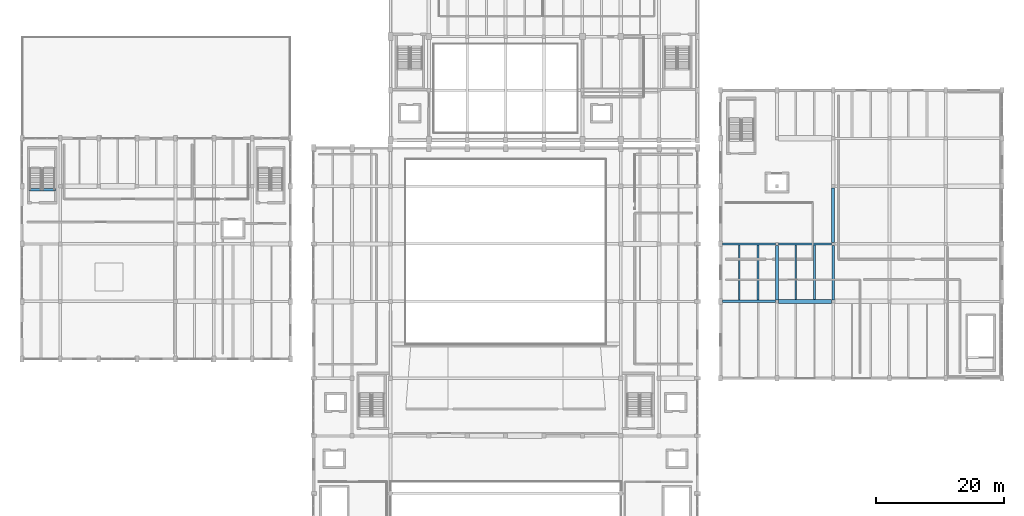
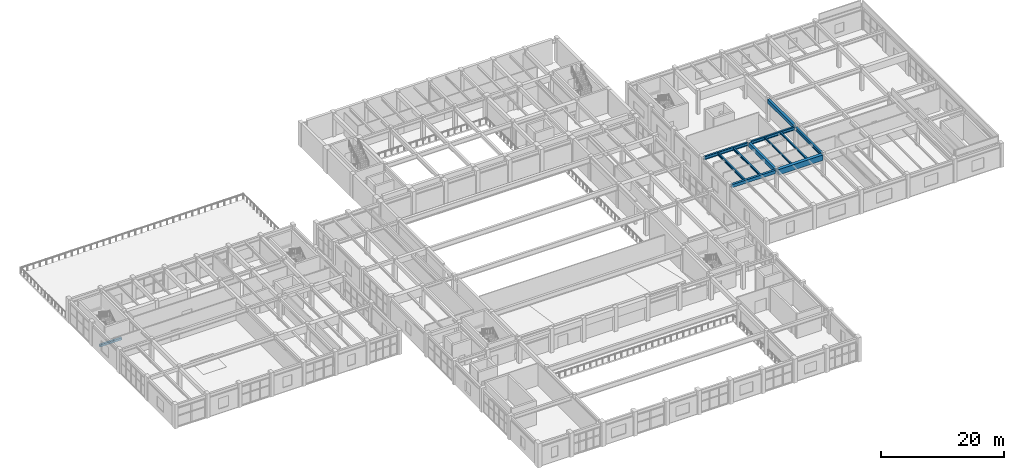
# One storey, part 32 of 80: 12 beams.
"""IFC4 building model written with IfcOpenShell, lengths in metres."""

import ifcopenshell
import ifcopenshell.guid

model = None  # the IFC model being written
_history = None  # IfcOwnerHistory: only IFC2X3 demands one
_inside = {}  # id of a spatial element -> (the spatial element, [elements in it])
_under = {}  # id of a project, library or spatial element -> (it, [spatial elements below it])
_declared = {}  # id of a project -> (the project, [libraries it declares])
_typed = {}  # id of a type object -> (the type object, [elements of that type])
_made_of = {}  # id of a material, layer set ... -> (it, [elements and type objects made of it])


def new_model(schema):
    """Start an empty IFC model of exactly this schema.

    Asked for "IFC4X3", IfcOpenShell would pick the latest addendum, in which some entities
    have other attributes; the version numbers below select the first issue.
    IFC2X3 requires an IfcOwnerHistory on every rooted entity: one is made here for all.
    """
    global model, _history
    if schema == "IFC4X3":
        model = ifcopenshell.file(schema_version=(4, 3, 0, 0))
    else:
        model = ifcopenshell.file(schema=schema)
    _inside.clear()
    _under.clear()
    _declared.clear()
    _typed.clear()
    _made_of.clear()
    _history = None
    if model.schema == "IFC2X3":
        org = make("IfcOrganization", Name="unknown")
        user = make(
            "IfcPersonAndOrganization",
            ThePerson=make("IfcPerson", FamilyName="unknown"),
            TheOrganization=org,
        )
        app = make(
            "IfcApplication",
            ApplicationDeveloper=org,
            Version="unknown",
            ApplicationFullName="unknown",
            ApplicationIdentifier="unknown",
        )
        _history = make(
            "IfcOwnerHistory",
            OwningUser=user,
            OwningApplication=app,
            ChangeAction="ADDED",
            CreationDate=0,
        )
    return model


def make(cls, **values):
    """One entity of the class cls with the attributes given. An attribute that is None is left unset."""
    return model.create_entity(
        cls, **{name: value for name, value in values.items() if value is not None}
    )


def rooted(cls, **values):
    """An entity with a GlobalId (a new one), such as an element, a storey or a relation."""
    return make(cls, GlobalId=ifcopenshell.guid.new(), OwnerHistory=_history, **values)


def si_unit(unit_type, name, prefix=None):
    """IfcSIUnit, for example si_unit("LENGTHUNIT", "METRE", prefix="MILLI")."""
    return make("IfcSIUnit", UnitType=unit_type, Prefix=prefix, Name=name)


def assignment(units):
    """IfcUnitAssignment: the units of a project."""
    return None if units is None else make("IfcUnitAssignment", Units=units)


def point(xyz):
    """IfcCartesianPoint."""
    return None if xyz is None else make("IfcCartesianPoint", Coordinates=xyz)


def direction(xyz):
    """IfcDirection."""
    return None if xyz is None else make("IfcDirection", DirectionRatios=xyz)


def frame(location, z_axis=None, x_axis=None):
    """IfcAxis2Placement3D, a coordinate frame: its origin and axes. An axis left out is left unset."""
    return make(
        "IfcAxis2Placement3D",
        Location=point(location),
        Axis=direction(z_axis),
        RefDirection=direction(x_axis),
    )


def frame_2d(location, x_axis=None):
    """IfcAxis2Placement2D, a coordinate frame in the plane: its origin and x axis."""
    return make(
        "IfcAxis2Placement2D", Location=point(location), RefDirection=direction(x_axis)
    )


def origin():
    """The frame at (0, 0, 0) with its axes left unset."""
    return frame((0.0, 0.0, 0.0))


def origin_2d():
    """The frame at (0, 0) in the plane with its x axis left unset."""
    return frame_2d((0.0, 0.0))


def place(relative_to, where):
    """IfcLocalPlacement: puts the frame where relative to a parent placement (None: the world)."""
    return make(
        "IfcLocalPlacement", PlacementRelTo=relative_to, RelativePlacement=where
    )


def context(
    kind, dimensions, precision=None, world=None, true_north=None, identifier=None
):
    """IfcGeometricRepresentationContext, for example the 3D "Model" context."""
    return make(
        "IfcGeometricRepresentationContext",
        ContextIdentifier=identifier,
        ContextType=kind,
        CoordinateSpaceDimension=dimensions,
        Precision=precision,
        WorldCoordinateSystem=world,
        TrueNorth=true_north,
    )


def subcontext(parent, identifier, kind, view, scale=None):
    """IfcGeometricRepresentationSubContext, for example "Body" below "Model"."""
    return make(
        "IfcGeometricRepresentationSubContext",
        ContextIdentifier=identifier,
        ContextType=kind,
        ParentContext=parent,
        TargetScale=scale,
        TargetView=view,
    )


def project(units=None, contexts=None):
    """IfcProject with its units and contexts."""
    return rooted(
        "IfcProject",
        Name="project",
        RepresentationContexts=contexts,
        UnitsInContext=assignment(units),
    )


def spatial(cls, under=None, at=None, **own):
    """A site, building, storey or space (cls), placed at a placement, below another one or the project."""
    s = rooted(cls, ObjectPlacement=at, **own)
    if under is not None:
        _under.setdefault(under.id(), (under, []))[1].append(s)
    return s


def profile(cls, at=None, kind="AREA", **sizes):
    """A parametric profile (cls). Its sizes go by their IFC names, for example OverallWidth=200.0."""
    return make(cls, ProfileType=kind, Position=at, **sizes)


def rectangle(**sizes):
    """IfcRectangleProfileDef."""
    return profile("IfcRectangleProfileDef", **sizes)


def i_section(**sizes):
    """IfcIShapeProfileDef."""
    return profile("IfcIShapeProfileDef", **sizes)


def extrude(swept, where, along, depth):
    """IfcExtrudedAreaSolid: the profile swept, set in the frame where, extruded along a direction by depth."""
    return make(
        "IfcExtrudedAreaSolid",
        SweptArea=swept,
        Position=where,
        ExtrudedDirection=direction(along),
        Depth=depth,
    )


def shape(context_of_items, identifier, shape_type, items):
    """IfcShapeRepresentation: the items that make up one representation, for example the "Body"."""
    return make(
        "IfcShapeRepresentation",
        ContextOfItems=context_of_items,
        RepresentationIdentifier=identifier,
        RepresentationType=shape_type,
        Items=items,
    )


def material(Name=None, Category=None):
    """IfcMaterial."""
    return make("IfcMaterial", Name=Name, Category=Category)


def material_profile(
    of_material, cross_section, Name=None, Category=None, Priority=None
):
    """IfcMaterialProfile: a cross section and its material."""
    return make(
        "IfcMaterialProfile",
        Name=Name,
        Material=of_material,
        Profile=cross_section,
        Priority=Priority,
        Category=Category,
    )


def profile_set(profiles, Name=None, composite=None):
    """IfcMaterialProfileSet."""
    return make(
        "IfcMaterialProfileSet",
        Name=Name,
        MaterialProfiles=profiles,
        CompositeProfile=composite,
    )


def made_of(thing, what):
    """Note that an element or type object is made of a material, layer set ...; save() writes the relation."""
    if what is not None:
        _made_of.setdefault(what.id(), (what, []))[1].append(thing)
    return thing


def type_object(cls, material=None, **own):
    """A type object (cls), such as IfcWallType, which elements share."""
    return made_of(rooted(cls, **own), material)


def element(
    cls,
    number,
    at=None,
    inside=None,
    cuts=None,
    type_object=None,
    material=None,
    context=None,
    identifier="Body",
    shape_type=None,
    held_by="IfcProductDefinitionShape",
    body=None,
    shapes=None,
    **own,
):
    """One element of the class cls, such as IfcWall. Its Tag is "e" and its number.

    at: its placement. inside: the storey or other place that contains it. cuts: it is an
    opening in that element (IfcRelVoidsElement). A single representation is given by context,
    identifier, shape_type and body (its items); several are given by shapes. held_by: the class
    of the entity that holds the representations. save() writes the other relations.
    """
    e = rooted(cls, Tag="e%d" % number, ObjectPlacement=at, **own)
    if body is not None:
        shapes = [shape(context, identifier, shape_type, body)]
    if shapes is not None:
        e.Representation = make(held_by, Representations=shapes)
    if inside is not None:
        _inside.setdefault(inside.id(), (inside, []))[1].append(e)
    if cuts is not None:
        rooted(
            "IfcRelVoidsElement", RelatingBuildingElement=cuts, RelatedOpeningElement=e
        )
    if type_object is not None:
        _typed.setdefault(type_object.id(), (type_object, []))[1].append(e)
    return made_of(e, material)


def aggregate(whole, parts):
    """IfcRelAggregates: a whole, such as a stair, and the parts it consists of."""
    return rooted("IfcRelAggregates", RelatingObject=whole, RelatedObjects=parts)


def save(model, path):
    """Write the relations noted so far, then the file.

    IfcRelAggregates (storeys below a building ...), IfcRelContainedInSpatialStructure (elements
    in a storey), IfcRelDefinesByType, IfcRelAssociatesMaterial and IfcRelDeclares: one each for
    every whole, place, type object, material and project.
    """
    for whole, parts in _under.values():
        aggregate(whole, parts)
    for where, things in _inside.values():
        rooted(
            "IfcRelContainedInSpatialStructure",
            RelatedElements=things,
            RelatingStructure=where,
        )
    for kind, things in _typed.values():
        rooted("IfcRelDefinesByType", RelatedObjects=things, RelatingType=kind)
    for what, things in _made_of.values():
        rooted("IfcRelAssociatesMaterial", RelatedObjects=things, RelatingMaterial=what)
    for by, libraries in _declared.values():
        rooted("IfcRelDeclares", RelatingContext=by, RelatedDefinitions=libraries)
    model.write(path)


model = new_model("IFC4")

# Units and contexts
model_context = context("Model", 3, precision=1e-05, world=origin(), true_north=direction((0.0, 1.0)))
body_context = subcontext(model_context, "Body", "Model", "MODEL_VIEW")
ifc_project = project(units=[si_unit("LENGTHUNIT", "METRE"), si_unit("AREAUNIT", "SQUARE_METRE"), si_unit("VOLUMEUNIT", "CUBIC_METRE"), si_unit("PLANEANGLEUNIT", "RADIAN"), si_unit("MASSUNIT", "GRAM", prefix="KILO")], contexts=[model_context])

# Site, building, storey
site_placement = place(None, origin())
site = spatial("IfcSite", under=ifc_project, at=site_placement, CompositionType="ELEMENT")
building_placement = place(site_placement, origin())
building = spatial("IfcBuilding", under=site, at=building_placement, Name="Vaelkrest Opera House", CompositionType="ELEMENT")
storey_placement = place(building_placement, frame((0.0, 0.0, 15.0)))
storey = spatial("IfcBuildingStorey", under=building, at=storey_placement, Name="L03", CompositionType="ELEMENT", Elevation=15.0)

# Beams
ifc_material_1 = material(Name="Concrete C50/60", Category="concrete")
ifc_material_profile_1 = material_profile(ifc_material_1, rectangle(XDim=0.39990234375, YDim=0.64990234375, at=origin_2d()), Name="RCB400X650")
ifc_profile_set_1 = profile_set([ifc_material_profile_1], Name="Concrete C50/60")
beam_type_1 = type_object("IfcBeamType", Name="B01", PredefinedType="BEAM", material=ifc_profile_set_1)
beam_1_placement = place(storey_placement, frame((33.89990234375, -7.800048828125, 4.094970703125), z_axis=(1.0, 0.0, 0.0), x_axis=(0.0, 1.0, 0.0)))
element("IfcBeam", 1, at=beam_1_placement, inside=storey, type_object=beam_type_1, Name="Beam BM-V4-L03-2341", PredefinedType="BEAM", context=body_context, shape_type="SweptSolid", body=[
    extrude(rectangle(XDim=0.39990234375, YDim=0.64990234375, at=origin_2d()), origin(), (0.0, 0.0, 1.0), 8.25),
])
ifc_material_profile_2 = material_profile(ifc_material_1, rectangle(XDim=0.449951171875, YDim=0.75, at=origin_2d()), Name="RCB450X750")
ifc_profile_set_2 = profile_set([ifc_material_profile_2], Name="Concrete C50/60")
beam_type_2 = type_object("IfcBeamType", Name="B02", PredefinedType="BEAM", material=ifc_profile_set_2)
for number, where, z_axis, x_axis, name in (
    (2, (42.39990234375, -7.550048828125, 4.044921875), (0.0, 1.0, 0.0), (-1.0, 0.0, 0.0), "Beam BM-V4-L03-2367"),
    (3, (51.199951171875, 1.449951171875, 4.1298828125), (0.0, 1.0, 0.0), (-1.0, 0.0, 0.0), "Beam BM-V4-L03-2371"),
):
    element("IfcBeam", number, at=place(storey_placement, frame(where, z_axis=z_axis, x_axis=x_axis)), inside=storey, type_object=beam_type_2, Name=name, PredefinedType="BEAM", context=body_context, shape_type="SweptSolid", body=[
        extrude(rectangle(XDim=0.449951171875, YDim=0.75, at=origin_2d()), origin(), (0.0, 0.0, 1.0), 8.5),
    ])
ifc_material_profile_3 = material_profile(ifc_material_1, rectangle(XDim=0.60009765625, YDim=1.10009765625, at=origin_2d()), Name="RCB600X1100")
ifc_profile_set_3 = profile_set([ifc_material_profile_3], Name="Concrete C50/60")
beam_type_3 = type_object("IfcBeamType", Name="B05", PredefinedType="BEAM", material=ifc_profile_set_3)
beam_2_placement = place(storey_placement, frame((42.64990234375, -7.800048828125, 3.8701171875), z_axis=(1.0, 0.0, 0.0), x_axis=(0.0, 1.0, 0.0)))
element("IfcBeam", 4, at=beam_2_placement, inside=storey, type_object=beam_type_3, Name="Beam BM-V4-L03-2342", PredefinedType="BEAM", context=body_context, shape_type="SweptSolid", body=[
    extrude(rectangle(XDim=0.60009765625, YDim=1.10009765625, at=origin_2d()), origin(), (0.0, 0.0, 1.0), 8.300048828125),
])
ifc_material_2 = material(Name="Steel A992 Gr50", Category="steel")
ifc_material_profile_4 = material_profile(ifc_material_2, i_section(OverallWidth=0.327880859375, OverallDepth=0.6279296875, WebThickness=0.0166015625, FlangeThickness=0.027587890625, at=origin_2d()), Name="W24X146")
ifc_profile_set_4 = profile_set([ifc_material_profile_4], Name="Steel A992 Gr50")
beam_type_4 = type_object("IfcBeamType", Name="B09", PredefinedType="BEAM", material=ifc_profile_set_4)
beam_3_placement = place(storey_placement, frame((33.89990234375, 1.199951171875, 4.10595703125), z_axis=(1.0, 0.0, 0.0), x_axis=(0.0, 1.0, 0.0)))
element("IfcBeam", 5, at=beam_3_placement, inside=storey, type_object=beam_type_4, Name="Beam BM-V4-L03-2346", PredefinedType="BEAM", context=body_context, shape_type="SweptSolid", body=[
    extrude(i_section(OverallWidth=0.327880859375, OverallDepth=0.6279296875, WebThickness=0.0166015625, FlangeThickness=0.027587890625, at=origin_2d()), origin(), (0.0, 0.0, 1.0), 8.25),
])
ifc_material_profile_5 = material_profile(ifc_material_2, i_section(OverallWidth=0.35791015625, OverallDepth=0.7060546875, WebThickness=0.018310546875, FlangeThickness=0.0302734375, at=origin_2d()), Name="W27X178")
ifc_profile_set_5 = profile_set([ifc_material_profile_5], Name="Steel A992 Gr50")
beam_type_5 = type_object("IfcBeamType", Name="B14", PredefinedType="BEAM", material=ifc_profile_set_5)
beam_4_placement = place(storey_placement, frame((51.199951171875, -7.550048828125, 4.06689453125), z_axis=(0.0, 1.0, 0.0), x_axis=(-1.0, 0.0, 0.0)))
element("IfcBeam", 6, at=beam_4_placement, inside=storey, type_object=beam_type_5, Name="Beam BM-V4-L03-2370", PredefinedType="BEAM", context=body_context, shape_type="SweptSolid", body=[
    extrude(i_section(OverallWidth=0.35791015625, OverallDepth=0.7060546875, WebThickness=0.018310546875, FlangeThickness=0.0302734375, at=origin_2d()), origin(), (0.0, 0.0, 1.0), 8.5),
])
ifc_material_profile_6 = material_profile(ifc_material_2, i_section(OverallWidth=0.326904296875, OverallDepth=0.6220703125, WebThickness=0.015380859375, FlangeThickness=0.0244140625, at=origin_2d()), Name="W24X131")
ifc_profile_set_6 = profile_set([ifc_material_profile_6], Name="Steel A992 Gr50")
beam_type_6 = type_object("IfcBeamType", Name="B19", PredefinedType="BEAM", material=ifc_profile_set_6)
beam_5_placement = place(storey_placement, frame((42.64990234375, 1.199951171875, 4.10888671875), z_axis=(1.0, 0.0, 0.0), x_axis=(0.0, 1.0, 0.0)))
element("IfcBeam", 7, at=beam_5_placement, inside=storey, type_object=beam_type_6, Name="Beam BM-V4-L03-2347", PredefinedType="BEAM", context=body_context, shape_type="SweptSolid", body=[
    extrude(i_section(OverallWidth=0.326904296875, OverallDepth=0.6220703125, WebThickness=0.015380859375, FlangeThickness=0.0244140625, at=origin_2d()), origin(), (0.0, 0.0, 1.0), 8.300048828125),
])
ifc_material_profile_7 = material_profile(ifc_material_2, i_section(OverallWidth=0.25390625, OverallDepth=0.305908203125, WebThickness=0.0087890625, FlangeThickness=0.0146484375, at=origin_2d()), Name="W12X53")
ifc_profile_set_7 = profile_set([ifc_material_profile_7], Name="Steel A992 Gr50")
beam_type_7 = type_object("IfcBeamType", Name="J03", PredefinedType="JOIST", material=ifc_profile_set_7)
beam_6_placement = place(storey_placement, frame((45.3330078125, -7.5, 4.26708984375), z_axis=(0.0, 1.0, 0.0), x_axis=(-1.0, 0.0, 0.0)))
element("IfcBeam", 8, at=beam_6_placement, inside=storey, type_object=beam_type_7, Name="Floor joist JST-V4-L03-2393", PredefinedType="JOIST", context=body_context, shape_type="SweptSolid", body=[
    extrude(i_section(OverallWidth=0.25390625, OverallDepth=0.305908203125, WebThickness=0.0087890625, FlangeThickness=0.0146484375, at=origin_2d()), origin(), (0.0, 0.0, 1.0), 8.53662109375),
])
ifc_material_profile_8 = material_profile(ifc_material_2, i_section(OverallWidth=0.304931640625, OverallDepth=0.30810546875, WebThickness=0.010009765625, FlangeThickness=0.015380859375, at=origin_2d()), Name="W12X65")
ifc_profile_set_8 = profile_set([ifc_material_profile_8], Name="Steel A992 Gr50")
beam_type_8 = type_object("IfcBeamType", Name="J04", PredefinedType="JOIST", material=ifc_profile_set_8)
beam_7_placement = place(storey_placement, frame((48.26708984375, -7.5, 4.26611328125), z_axis=(0.0, 1.0, 0.0), x_axis=(-1.0, 0.0, 0.0)))
element("IfcBeam", 9, at=beam_7_placement, inside=storey, type_object=beam_type_8, Name="Floor joist JST-V4-L03-2394", PredefinedType="JOIST", context=body_context, shape_type="SweptSolid", body=[
    extrude(i_section(OverallWidth=0.304931640625, OverallDepth=0.30810546875, WebThickness=0.010009765625, FlangeThickness=0.015380859375, at=origin_2d()), origin(), (0.0, 0.0, 1.0), 8.53662109375),
])
ifc_material_profile_9 = material_profile(ifc_material_2, i_section(OverallWidth=0.280029296875, OverallDepth=0.462890625, WebThickness=0.0107421875, FlangeThickness=0.017333984375, at=origin_2d()), Name="W18X76")
ifc_profile_set_9 = profile_set([ifc_material_profile_9], Name="Steel A992 Gr50")
beam_type_9 = type_object("IfcBeamType", Name="J09", PredefinedType="JOIST", material=ifc_profile_set_9)
beam_8_placement = place(storey_placement, frame((36.532958984375, -7.60009765625, 4.1884765625), z_axis=(0.0, 1.0, 0.0), x_axis=(-1.0, 0.0, 0.0)))
element("IfcBeam", 10, at=beam_8_placement, inside=storey, type_object=beam_type_9, Name="Floor joist JST-V4-L03-2389", PredefinedType="JOIST", context=body_context, shape_type="SweptSolid", body=[
    extrude(i_section(OverallWidth=0.280029296875, OverallDepth=0.462890625, WebThickness=0.0107421875, FlangeThickness=0.017333984375, at=origin_2d()), origin(), (0.0, 0.0, 1.0), 8.635986328125),
])
ifc_material_profile_10 = material_profile(ifc_material_2, i_section(OverallWidth=0.282958984375, OverallDepth=0.471923828125, WebThickness=0.013671875, FlangeThickness=0.022216796875, at=origin_2d()), Name="W18X97")
ifc_profile_set_10 = profile_set([ifc_material_profile_10], Name="Steel A992 Gr50")
beam_type_10 = type_object("IfcBeamType", Name="J10", PredefinedType="JOIST", material=ifc_profile_set_10)
beam_9_placement = place(storey_placement, frame((39.467041015625, -7.60009765625, 4.18408203125), z_axis=(0.0, 1.0, 0.0), x_axis=(-1.0, 0.0, 0.0)))
element("IfcBeam", 11, at=beam_9_placement, inside=storey, type_object=beam_type_10, Name="Floor joist JST-V4-L03-2390", PredefinedType="JOIST", context=body_context, shape_type="SweptSolid", body=[
    extrude(i_section(OverallWidth=0.282958984375, OverallDepth=0.471923828125, WebThickness=0.013671875, FlangeThickness=0.022216796875, at=origin_2d()), origin(), (0.0, 0.0, 1.0), 8.635986328125),
])
ifc_material_profile_11 = material_profile(ifc_material_1, rectangle(XDim=0.35009765625, YDim=0.449951171875, at=origin_2d()), Name="RCB350X450")
ifc_profile_set_11 = profile_set([ifc_material_profile_11], Name="Concrete C50/60")
beam_type_11 = type_object("IfcBeamType", Name="LN01", PredefinedType="LINTEL", material=ifc_profile_set_11)
beam_10_placement = place(storey_placement, frame((-74.52001953125, 9.64990234375, -0.22509765625), z_axis=(1.0, 0.0, 0.0), x_axis=(0.0, 1.0, 0.0)))
element("IfcBeam", 12, at=beam_10_placement, inside=storey, type_object=beam_type_11, Name="Stairwell trimmer beam ST07 L03", PredefinedType="LINTEL", context=body_context, shape_type="SweptSolid", body=[
    extrude(rectangle(XDim=0.35009765625, YDim=0.449951171875, at=origin_2d()), origin(), (0.0, 0.0, 1.0), 4.14013671875),
])

save(model, "model.ifc")
